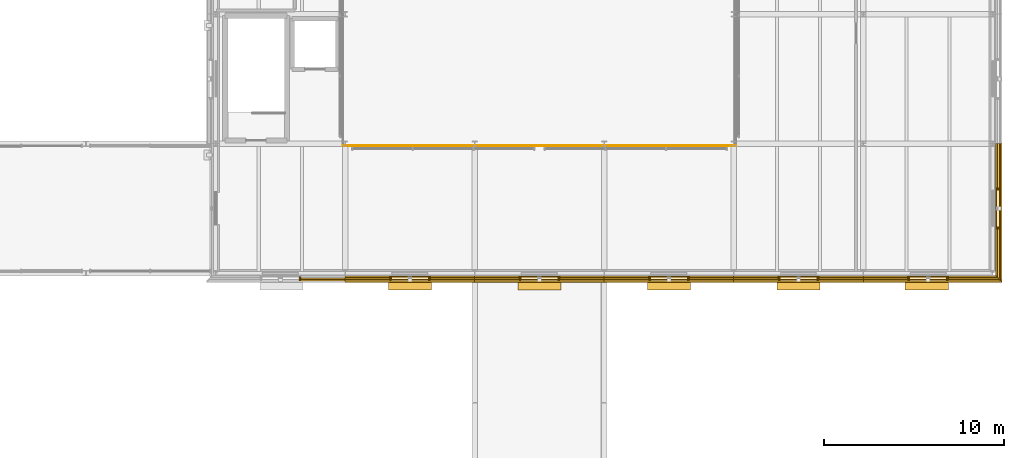
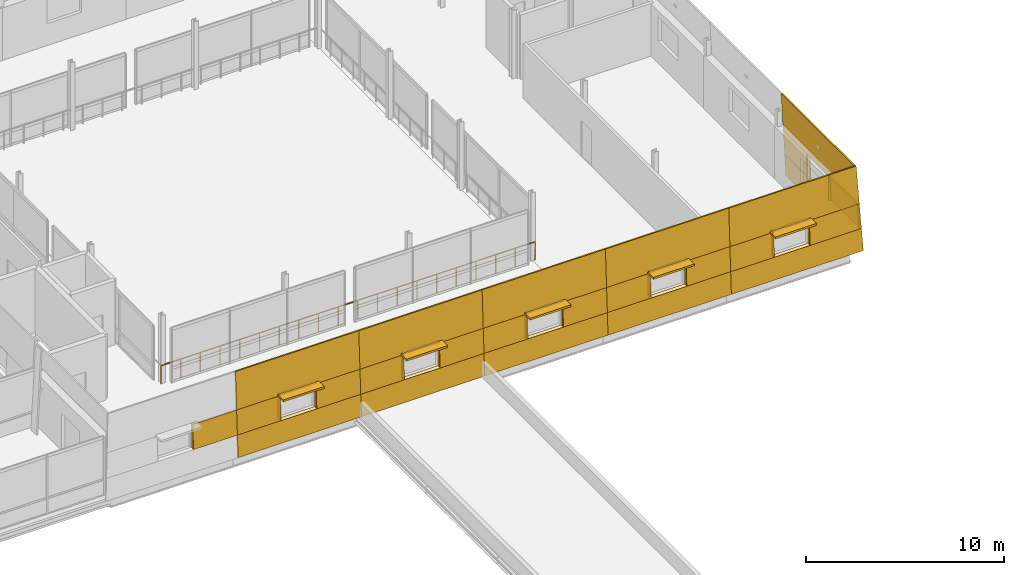
# One storey, part 112 of 115: 50 coverings, 5 shading devices, 1 railing.
"""IFC4 building model written with IfcOpenShell, lengths in metres."""

from ifc_helpers import new_model, si_unit, direction, frame, origin, origin_2d, place, context, subcontext, project, spatial, polyline, rectangle, circle, outline, extrude, material, layer, layer_set, type_object, element, save


model = new_model("IFC4")

# Units and contexts
model_context = context("Model", 3, precision=1e-05, world=origin(), true_north=direction((0.0, 1.0)))
body_context = subcontext(model_context, "Body", "Model", "MODEL_VIEW")
ifc_project = project(units=[si_unit("LENGTHUNIT", "METRE"), si_unit("AREAUNIT", "SQUARE_METRE"), si_unit("VOLUMEUNIT", "CUBIC_METRE"), si_unit("PLANEANGLEUNIT", "RADIAN"), si_unit("MASSUNIT", "GRAM", prefix="KILO")], contexts=[model_context])

# Site, building, storey
site_placement = place(None, origin())
site = spatial("IfcSite", under=ifc_project, at=site_placement, CompositionType="ELEMENT")
building_placement = place(site_placement, origin())
building = spatial("IfcBuilding", under=site, at=building_placement, Name="Narikvali Park Central Library", CompositionType="ELEMENT")
storey_placement = place(building_placement, frame((0.0, 0.0, 10.199951171875)))
storey = spatial("IfcBuildingStorey", under=building, at=storey_placement, Name="L02", CompositionType="ELEMENT", Elevation=10.199951171875)

# Railing
ifc_material_1 = material(Name="Laminated Tempered Glass and Stainless Steel", Category="steel")
ifc_layer_1 = layer(ifc_material_1, 0.06005859375, Name="Laminated Tempered Glass and Stainless Steel")
ifc_layer_set_1 = layer_set([ifc_layer_1], Name="Laminated Tempered Glass and Stainless Steel")
railing_type = type_object("IfcRailingType", Name="Atrium Void Tempered Glass Guardrail 1150", PredefinedType="GUARDRAIL", material=ifc_layer_set_1)
railing_placement = place(storey_placement, frame((129.47998046875, 86.280029296875, 0.0)))
element("IfcRailing", 1, at=railing_placement, inside=storey, type_object=railing_type, Name="V3 L02 Void Edge Guardrail S", PredefinedType="GUARDRAIL", context=body_context, shape_type="SweptSolid", body=[
    extrude(circle(Radius=0.02392578125, at=origin_2d()), frame((0.0, 0.0, 1.1259765625), z_axis=(1.0, 0.0, 0.0), x_axis=(0.0, 1.0, 0.0)), (0.0, 0.0, 1.0), 21.840087890625),
    extrude(circle(Radius=0.02099609375, at=origin_2d()), origin(), (0.0, 0.0, 1.0), 1.101806640625),
    extrude(circle(Radius=0.02099609375, at=origin_2d()), frame((1.1494140625, 0.0, 0.0)), (0.0, 0.0, 1.0), 1.101806640625),
    extrude(circle(Radius=0.02099609375, at=origin_2d()), frame((2.299072265625, 0.0, 0.0)), (0.0, 0.0, 1.0), 1.101806640625),
    extrude(circle(Radius=0.02099609375, at=origin_2d()), frame((3.448486328125, 0.0, 0.0)), (0.0, 0.0, 1.0), 1.101806640625),
    extrude(circle(Radius=0.02099609375, at=origin_2d()), frame((4.597900390625, 0.0, 0.0)), (0.0, 0.0, 1.0), 1.101806640625),
    extrude(circle(Radius=0.02099609375, at=origin_2d()), frame((5.747314453125, 0.0, 0.0)), (0.0, 0.0, 1.0), 1.101806640625),
    extrude(circle(Radius=0.02099609375, at=origin_2d()), frame((6.89697265625, 0.0, 0.0)), (0.0, 0.0, 1.0), 1.101806640625),
    extrude(circle(Radius=0.02099609375, at=origin_2d()), frame((8.04638671875, 0.0, 0.0)), (0.0, 0.0, 1.0), 1.101806640625),
    extrude(circle(Radius=0.02099609375, at=origin_2d()), frame((9.19580078125, 0.0, 0.0)), (0.0, 0.0, 1.0), 1.101806640625),
    extrude(circle(Radius=0.02099609375, at=origin_2d()), frame((10.34521484375, 0.0, 0.0)), (0.0, 0.0, 1.0), 1.101806640625),
    extrude(circle(Radius=0.02099609375, at=origin_2d()), frame((11.494873046875, 0.0, 0.0)), (0.0, 0.0, 1.0), 1.101806640625),
    extrude(circle(Radius=0.02099609375, at=origin_2d()), frame((12.644287109375, 0.0, 0.0)), (0.0, 0.0, 1.0), 1.101806640625),
    extrude(circle(Radius=0.02099609375, at=origin_2d()), frame((13.793701171875, 0.0, 0.0)), (0.0, 0.0, 1.0), 1.101806640625),
    extrude(circle(Radius=0.02099609375, at=origin_2d()), frame((14.943115234375, 0.0, 0.0)), (0.0, 0.0, 1.0), 1.101806640625),
    extrude(circle(Radius=0.02099609375, at=origin_2d()), frame((16.0927734375, 0.0, 0.0)), (0.0, 0.0, 1.0), 1.101806640625),
    extrude(circle(Radius=0.02099609375, at=origin_2d()), frame((17.2421875, 0.0, 0.0)), (0.0, 0.0, 1.0), 1.101806640625),
    extrude(circle(Radius=0.02099609375, at=origin_2d()), frame((18.3916015625, 0.0, 0.0)), (0.0, 0.0, 1.0), 1.101806640625),
    extrude(circle(Radius=0.02099609375, at=origin_2d()), frame((19.541015625, 0.0, 0.0)), (0.0, 0.0, 1.0), 1.101806640625),
    extrude(circle(Radius=0.02099609375, at=origin_2d()), frame((20.690673828125, 0.0, 0.0)), (0.0, 0.0, 1.0), 1.101806640625),
    extrude(circle(Radius=0.02099609375, at=origin_2d()), frame((21.840087890625, 0.0, 0.0)), (0.0, 0.0, 1.0), 1.101806640625),
])

# Coverings
ifc_material_2 = material(Name="White Honed Limestone Cladding", Category="masonry")
ifc_layer_2 = layer(ifc_material_2, 0.0849609375, Name="White Honed Limestone Cladding")
ifc_layer_set_2 = layer_set([ifc_layer_2], Name="White Honed Limestone Cladding")
covering_type_1 = type_object("IfcCoveringType", Name="Battered White Limestone Facade Cladding Panel", PredefinedType="CLADDING", material=ifc_layer_set_2)
covering_1_placement = place(storey_placement, frame((127.0400390625, 78.761962890625, 1.35009765625), z_axis=(0.0, -0.998646416446, 0.05201283419), x_axis=(1.0, 0.0, 0.0)))
element("IfcCovering", 2, at=covering_1_placement, inside=storey, type_object=covering_type_1, Name="V3 L02 S Battered Limestone Jamb Pier R B01", PredefinedType="CLADDING", context=body_context, shape_type="SweptSolid", body=[
    extrude(outline(polyline([(0.0, 0.0), (2.56005859375, 0.0), (2.56005859375, 1.5020331273394072), (0.0, 1.5020331273394072), (0.0, 0.0)])), origin(), (0.0, 0.0, -1.0), 0.0849609375),
])
covering_2_placement = place(storey_placement, frame((129.60009765625, 78.691650390625, 0.0), z_axis=(0.0, -0.998646611858, 0.052009082137), x_axis=(1.0, 0.0, 0.0)))
element("IfcCovering", 3, at=covering_2_placement, inside=storey, type_object=covering_type_1, Name="V3 L02 S Battered Limestone Spandrel B02", PredefinedType="CLADDING", context=body_context, shape_type="SweptSolid", body=[
    extrude(outline(polyline([(0.0, 0.0), (7.199951171875, 0.0), (7.199951171875, 1.3519273386791144), (0.0, 1.3519273386791144), (0.0, 0.0)])), origin(), (0.0, 0.0, -1.0), 0.0849609375),
])
covering_3_placement = place(storey_placement, frame((129.60009765625, 78.840087890625, 2.85009765625), z_axis=(0.0, -0.998644637883, 0.052046971362), x_axis=(1.0, 0.0, 0.0)))
element("IfcCovering", 4, at=covering_3_placement, inside=storey, type_object=covering_type_1, Name="V3 L02 S Battered Limestone Lintel B02", PredefinedType="CLADDING", context=body_context, shape_type="SweptSolid", body=[
    extrude(outline(polyline([(0.0, 0.0), (7.199951171875, 0.0), (7.199951171875, 2.3031704581133985), (0.0, 2.3031704581133985), (0.0, 0.0)])), origin(), (0.0, 0.0, -1.0), 0.0849609375),
])
covering_4_placement = place(storey_placement, frame((129.60009765625, 78.761962890625, 1.35009765625), z_axis=(0.0, -0.998646416446, 0.05201283419), x_axis=(1.0, 0.0, 0.0)))
element("IfcCovering", 5, at=covering_4_placement, inside=storey, type_object=covering_type_1, Name="V3 L02 S Battered Limestone Jamb Pier L B02", PredefinedType="CLADDING", context=body_context, shape_type="SweptSolid", body=[
    extrude(outline(polyline([(0.0, 0.0), (2.559814453125, 0.0), (2.559814453125, 1.5020331273394074), (0.0, 1.5020331273394074), (0.0, 0.0)])), origin(), (0.0, 0.0, -1.0), 0.0849609375),
])
covering_5_placement = place(storey_placement, frame((134.239990234375, 78.761962890625, 1.35009765625), z_axis=(0.0, -0.998646416446, 0.05201283419), x_axis=(1.0, 0.0, 0.0)))
element("IfcCovering", 6, at=covering_5_placement, inside=storey, type_object=covering_type_1, Name="V3 L02 S Battered Limestone Jamb Pier R B02", PredefinedType="CLADDING", context=body_context, shape_type="SweptSolid", body=[
    extrude(outline(polyline([(0.0, 0.0), (2.56005859375, 0.0), (2.56005859375, 1.5020331273394072), (0.0, 1.5020331273394072), (0.0, 0.0)])), origin(), (0.0, 0.0, -1.0), 0.0849609375),
])
covering_6_placement = place(storey_placement, frame((136.800048828125, 78.691650390625, 0.0), z_axis=(0.0, -0.998646611858, 0.052009082137), x_axis=(1.0, 0.0, 0.0)))
element("IfcCovering", 7, at=covering_6_placement, inside=storey, type_object=covering_type_1, Name="V3 L02 S Battered Limestone Spandrel B03", PredefinedType="CLADDING", context=body_context, shape_type="SweptSolid", body=[
    extrude(outline(polyline([(0.0, 0.0), (7.199951171875, 0.0), (7.199951171875, 1.3519273386791144), (0.0, 1.3519273386791144), (0.0, 0.0)])), origin(), (0.0, 0.0, -1.0), 0.0849609375),
])
covering_7_placement = place(storey_placement, frame((136.800048828125, 78.840087890625, 2.85009765625), z_axis=(0.0, -0.998644637883, 0.052046971362), x_axis=(1.0, 0.0, 0.0)))
element("IfcCovering", 8, at=covering_7_placement, inside=storey, type_object=covering_type_1, Name="V3 L02 S Battered Limestone Lintel B03", PredefinedType="CLADDING", context=body_context, shape_type="SweptSolid", body=[
    extrude(outline(polyline([(0.0, 0.0), (7.199951171875, 0.0), (7.199951171875, 2.3031704581133985), (0.0, 2.3031704581133985), (0.0, 0.0)])), origin(), (0.0, 0.0, -1.0), 0.0849609375),
])
for number, where, z_axis, x_axis, name in (
    (9, (136.800048828125, 78.761962890625, 1.35009765625), (0.0, -0.998646416446, 0.05201283419), (1.0, 0.0, 0.0), "V3 L02 S Battered Limestone Jamb Pier L B03"),
    (10, (141.43994140625, 78.761962890625, 1.35009765625), (0.0, -0.998646416446, 0.05201283419), (1.0, 0.0, 0.0), "V3 L02 S Battered Limestone Jamb Pier R B03"),
):
    element("IfcCovering", number, at=place(storey_placement, frame(where, z_axis=z_axis, x_axis=x_axis)), inside=storey, type_object=covering_type_1, Name=name, PredefinedType="CLADDING", context=body_context, shape_type="SweptSolid", body=[
        extrude(outline(polyline([(0.0, 0.0), (2.56005859375, 0.0), (2.56005859375, 1.5020331273394072), (0.0, 1.5020331273394072), (0.0, 0.0)])), origin(), (0.0, 0.0, -1.0), 0.0849609375),
    ])
covering_8_placement = place(storey_placement, frame((144.0, 78.691650390625, 0.0), z_axis=(0.0, -0.998646611858, 0.052009082137), x_axis=(1.0, 0.0, 0.0)))
element("IfcCovering", 11, at=covering_8_placement, inside=storey, type_object=covering_type_1, Name="V3 L02 S Battered Limestone Spandrel B04", PredefinedType="CLADDING", context=body_context, shape_type="SweptSolid", body=[
    extrude(outline(polyline([(0.0, 0.0), (7.199951171875, 0.0), (7.199951171875, 1.3519273386791144), (0.0, 1.3519273386791144), (0.0, 0.0)])), origin(), (0.0, 0.0, -1.0), 0.0849609375),
])
covering_9_placement = place(storey_placement, frame((144.0, 78.840087890625, 2.85009765625), z_axis=(0.0, -0.998644637883, 0.052046971362), x_axis=(1.0, 0.0, 0.0)))
element("IfcCovering", 12, at=covering_9_placement, inside=storey, type_object=covering_type_1, Name="V3 L02 S Battered Limestone Lintel B04", PredefinedType="CLADDING", context=body_context, shape_type="SweptSolid", body=[
    extrude(outline(polyline([(0.0, 0.0), (7.199951171875, 0.0), (7.199951171875, 2.3031704581133985), (0.0, 2.3031704581133985), (0.0, 0.0)])), origin(), (0.0, 0.0, -1.0), 0.0849609375),
])
for number, where, z_axis, x_axis, name in (
    (13, (144.0, 78.761962890625, 1.35009765625), (0.0, -0.998646416446, 0.05201283419), (1.0, 0.0, 0.0), "V3 L02 S Battered Limestone Jamb Pier L B04"),
    (14, (148.639892578125, 78.761962890625, 1.35009765625), (0.0, -0.998646416446, 0.05201283419), (1.0, 0.0, 0.0), "V3 L02 S Battered Limestone Jamb Pier R B04"),
):
    element("IfcCovering", number, at=place(storey_placement, frame(where, z_axis=z_axis, x_axis=x_axis)), inside=storey, type_object=covering_type_1, Name=name, PredefinedType="CLADDING", context=body_context, shape_type="SweptSolid", body=[
        extrude(outline(polyline([(0.0, 0.0), (2.56005859375, 0.0), (2.56005859375, 1.5020331273394072), (0.0, 1.5020331273394072), (0.0, 0.0)])), origin(), (0.0, 0.0, -1.0), 0.0849609375),
    ])
covering_10_placement = place(storey_placement, frame((151.199951171875, 78.691650390625, 0.0), z_axis=(0.0, -0.998646611858, 0.052009082137), x_axis=(1.0, 0.0, 0.0)))
element("IfcCovering", 15, at=covering_10_placement, inside=storey, type_object=covering_type_1, Name="V3 L02 S Battered Limestone Spandrel B05", PredefinedType="CLADDING", context=body_context, shape_type="SweptSolid", body=[
    extrude(outline(polyline([(0.0, 0.0), (7.199951171875, 0.0), (7.199951171875, 1.3519273386791144), (0.0, 1.3519273386791144), (0.0, 0.0)])), origin(), (0.0, 0.0, -1.0), 0.0849609375),
])
covering_11_placement = place(storey_placement, frame((151.199951171875, 78.840087890625, 2.85009765625), z_axis=(0.0, -0.998644637883, 0.052046971362), x_axis=(1.0, 0.0, 0.0)))
element("IfcCovering", 16, at=covering_11_placement, inside=storey, type_object=covering_type_1, Name="V3 L02 S Battered Limestone Lintel B05", PredefinedType="CLADDING", context=body_context, shape_type="SweptSolid", body=[
    extrude(outline(polyline([(0.0, 0.0), (7.199951171875, 0.0), (7.199951171875, 2.3031704581133985), (0.0, 2.3031704581133985), (0.0, 0.0)])), origin(), (0.0, 0.0, -1.0), 0.0849609375),
])
covering_12_placement = place(storey_placement, frame((151.199951171875, 78.761962890625, 1.35009765625), z_axis=(0.0, -0.998646416446, 0.05201283419), x_axis=(1.0, 0.0, 0.0)))
element("IfcCovering", 17, at=covering_12_placement, inside=storey, type_object=covering_type_1, Name="V3 L02 S Battered Limestone Jamb Pier L B05", PredefinedType="CLADDING", context=body_context, shape_type="SweptSolid", body=[
    extrude(outline(polyline([(0.0, 0.0), (2.56005859375, 0.0), (2.56005859375, 1.5020331273394072), (0.0, 1.5020331273394072), (0.0, 0.0)])), origin(), (0.0, 0.0, -1.0), 0.0849609375),
])
covering_13_placement = place(storey_placement, frame((155.840087890625, 78.761962890625, 1.35009765625), z_axis=(0.0, -0.998646416446, 0.05201283419), x_axis=(1.0, 0.0, 0.0)))
element("IfcCovering", 18, at=covering_13_placement, inside=storey, type_object=covering_type_1, Name="V3 L02 S Battered Limestone Jamb Pier R B05", PredefinedType="CLADDING", context=body_context, shape_type="SweptSolid", body=[
    extrude(outline(polyline([(0.0, 0.0), (2.559814453125, 0.0), (2.559814453125, 1.5020331273394074), (0.0, 1.5020331273394074), (0.0, 0.0)])), origin(), (0.0, 0.0, -1.0), 0.0849609375),
])
covering_14_placement = place(storey_placement, frame((158.39990234375, 78.691650390625, 0.0), z_axis=(0.0, -0.998646611858, 0.052009082137), x_axis=(1.0, 0.0, 0.0)))
element("IfcCovering", 19, at=covering_14_placement, inside=storey, type_object=covering_type_1, Name="V3 L02 S Battered Limestone Spandrel B06", PredefinedType="CLADDING", context=body_context, shape_type="SweptSolid", body=[
    extrude(outline(polyline([(0.0, 0.0), (7.70849609375, 0.0), (7.63818359375, 1.3519273386791146), (0.0, 1.3519273386791146), (0.0, 0.0)])), origin(), (0.0, 0.0, -1.0), 0.0849609375),
])
covering_15_placement = place(storey_placement, frame((158.39990234375, 78.840087890625, 2.85009765625), z_axis=(0.0, -0.998644637883, 0.052046971362), x_axis=(1.0, 0.0, 0.0)))
element("IfcCovering", 20, at=covering_15_placement, inside=storey, type_object=covering_type_1, Name="V3 L02 S Battered Limestone Lintel B06", PredefinedType="CLADDING", context=body_context, shape_type="SweptSolid", body=[
    extrude(outline(polyline([(0.0, 0.0), (7.56005859375, 0.0), (7.440185546875, 2.3031704581133985), (0.0, 2.3031704581133985), (0.0, 0.0)])), origin(), (0.0, 0.0, -1.0), 0.0849609375),
])
covering_16_placement = place(storey_placement, frame((158.39990234375, 78.761962890625, 1.35009765625), z_axis=(0.0, -0.998646416446, 0.05201283419), x_axis=(1.0, 0.0, 0.0)))
element("IfcCovering", 21, at=covering_16_placement, inside=storey, type_object=covering_type_1, Name="V3 L02 S Battered Limestone Jamb Pier L B06", PredefinedType="CLADDING", context=body_context, shape_type="SweptSolid", body=[
    extrude(outline(polyline([(0.0, 0.0), (2.56005859375, 0.0), (2.56005859375, 1.5020331273394072), (0.0, 1.5020331273394072), (0.0, 0.0)])), origin(), (0.0, 0.0, -1.0), 0.0849609375),
])
covering_17_placement = place(storey_placement, frame((163.0400390625, 78.761962890625, 1.35009765625), z_axis=(0.0, -0.998646416446, 0.05201283419), x_axis=(1.0, 0.0, 0.0)))
element("IfcCovering", 22, at=covering_17_placement, inside=storey, type_object=covering_type_1, Name="V3 L02 S Battered Limestone Jamb Pier R B06", PredefinedType="CLADDING", context=body_context, shape_type="SweptSolid", body=[
    extrude(outline(polyline([(0.0, 0.0), (2.998046875, 0.0), (2.919921875, 1.5020331273394074), (0.0, 1.5020331273394074), (0.0, 0.0)])), origin(), (0.0, 0.0, -1.0), 0.0849609375),
])
covering_18_placement = place(storey_placement, frame((166.1083984375, 78.776611328125, 0.0), z_axis=(0.998646611858, 0.0, 0.052009082137), x_axis=(0.0, 1.0, 0.0)))
element("IfcCovering", 23, at=covering_18_placement, inside=storey, type_object=covering_type_1, Name="V3 L02 E Battered Limestone Spandrel B01", PredefinedType="CLADDING", context=body_context, shape_type="SweptSolid", body=[
    extrude(outline(polyline([(0.0, 0.0), (7.623291015625, 0.0), (7.623291015625, 1.3519273386791146), (0.0703125, 1.3519273386791146), (0.0, 0.0)])), origin(), (0.0, 0.0, -1.0), 0.0849609375),
])
covering_19_placement = place(storey_placement, frame((165.9599609375, 78.925048828125, 2.85009765625), z_axis=(0.998644637883, 0.0, 0.052046971362), x_axis=(0.0, 1.0, 0.0)))
element("IfcCovering", 24, at=covering_19_placement, inside=storey, type_object=covering_type_1, Name="V3 L02 E Battered Limestone Lintel B01", PredefinedType="CLADDING", context=body_context, shape_type="SweptSolid", body=[
    extrude(outline(polyline([(0.0, 0.0), (7.474853515625, 0.0), (7.474853515625, 2.3031704581133985), (0.119873046875, 2.3031704581133985), (0.0, 0.0)])), origin(), (0.0, 0.0, -1.0), 0.0849609375),
])
covering_20_placement = place(storey_placement, frame((166.0380859375, 78.846923828125, 1.35009765625), z_axis=(0.998646416446, 0.0, 0.05201283419), x_axis=(0.0, 1.0, 0.0)))
element("IfcCovering", 25, at=covering_20_placement, inside=storey, type_object=covering_type_1, Name="V3 L02 E Battered Limestone Jamb Pier L B01", PredefinedType="CLADDING", context=body_context, shape_type="SweptSolid", body=[
    extrude(outline(polyline([(0.0, 0.0), (2.9130859375, 0.0), (2.9130859375, 1.5020331273394074), (0.078125, 1.5020331273394074), (0.0, 0.0)])), origin(), (0.0, 0.0, -1.0), 0.0849609375),
])
covering_21_placement = place(storey_placement, frame((166.0380859375, 83.840087890625, 1.35009765625), z_axis=(0.998646416446, 0.0, 0.05201283419), x_axis=(0.0, 1.0, 0.0)))
element("IfcCovering", 26, at=covering_21_placement, inside=storey, type_object=covering_type_1, Name="V3 L02 E Battered Limestone Jamb Pier R B01", PredefinedType="CLADDING", context=body_context, shape_type="SweptSolid", body=[
    extrude(outline(polyline([(0.0, 0.0), (2.559814453125, 0.0), (2.559814453125, 1.5020331273394074), (0.0, 1.5020331273394074), (0.0, 0.0)])), origin(), (0.0, 0.0, -1.0), 0.0849609375),
])

# Shading devices
ifc_material_3 = material(Name="Anodised Bronze Aluminium", Category="aluminium")
ifc_layer_3 = layer(ifc_material_3, 0.1201171875, Name="Anodised Bronze Aluminium")
ifc_layer_set_3 = layer_set([ifc_layer_3], Name="Anodised Bronze Aluminium")
shading_device_type = type_object("IfcShadingDeviceType", Name="Bronze Classical Cornice Sun Brise-Soleil 650", PredefinedType="SHUTTER", material=ifc_layer_set_3)
for number, where, z_axis, x_axis, name in (
    (27, (133.199951171875, 78.60009765625, 2.85009765625), (0.0, 0.0, 1.0), (1.0, 0.0, 0.0), "V3 L02 Classical Bronze Brise-Soleil 02"),
    (28, (140.39990234375, 78.60009765625, 2.85009765625), (0.0, 0.0, 1.0), (1.0, 0.0, 0.0), "V3 L02 Classical Bronze Brise-Soleil 03"),
    (29, (147.60009765625, 78.60009765625, 2.85009765625), (0.0, 0.0, 1.0), (1.0, 0.0, 0.0), "V3 L02 Classical Bronze Brise-Soleil 04"),
    (30, (154.800048828125, 78.60009765625, 2.85009765625), (0.0, 0.0, 1.0), (1.0, 0.0, 0.0), "V3 L02 Classical Bronze Brise-Soleil 05"),
    (31, (161.93310546875, 78.60009765625, 2.85009765625), (0.0, 0.0, 1.0), (1.0, 0.0, 0.0), "V3 L02 Classical Bronze Brise-Soleil 06"),
):
    element("IfcShadingDevice", number, at=place(storey_placement, frame(where, z_axis=z_axis, x_axis=x_axis)), inside=storey, type_object=shading_device_type, Name=name, PredefinedType="SHUTTER", context=body_context, shape_type="SweptSolid", body=[
        extrude(rectangle(XDim=2.39990234375, YDim=0.64990234375, at=origin_2d()), origin(), (0.0, 0.0, 1.0), 0.1201171875),
    ])

# Coverings
ifc_layer_4 = layer(ifc_material_2, 0.080078125, Name="White Honed Limestone Cladding")
ifc_layer_set_4 = layer_set([ifc_layer_4], Name="White Honed Limestone Cladding")
covering_type_2 = type_object("IfcCoveringType", Name="Deep Carved White Limestone Window Reveal", PredefinedType="CLADDING", material=ifc_layer_set_4)
covering_22_placement = place(storey_placement, frame((0.0, 0.0, 1.35009765625)))
element("IfcCovering", 32, at=covering_22_placement, inside=storey, type_object=covering_type_2, Name="Deep Stone Reveal Jamb R V3-RVL-L02-S-B01", PredefinedType="CLADDING", context=body_context, shape_type="SweptSolid", body=[
    extrude(outline(polyline([(127.0400390625, 78.9951171875), (127.1201171875, 78.9951171875), (127.1201171875, 78.840087890625), (127.0400390625, 78.840087890625), (127.0400390625, 78.9951171875)])), origin(), (0.0, 0.0, 1.0), 1.5),
])
covering_23_placement = place(storey_placement, frame((0.0, 0.0, 2.85009765625)))
element("IfcCovering", 33, at=covering_23_placement, inside=storey, type_object=covering_type_2, Name="Deep Stone Reveal Head V3-RVL-L02-S-B02", PredefinedType="CLADDING", context=body_context, shape_type="SweptSolid", body=[
    extrude(outline(polyline([(132.1201171875, 78.9951171875), (134.280029296875, 78.9951171875), (134.280029296875, 78.840087890625), (132.1201171875, 78.840087890625), (132.1201171875, 78.9951171875)])), origin(), (0.0, 0.0, 1.0), 0.079833984375),
])
covering_24_placement = place(storey_placement, frame((0.0, 0.0, 1.27001953125)))
element("IfcCovering", 34, at=covering_24_placement, inside=storey, type_object=covering_type_2, Name="Deep Stone Reveal Sill V3-RVL-L02-S-B02", PredefinedType="CLADDING", context=body_context, shape_type="SweptSolid", body=[
    extrude(outline(polyline([(132.1201171875, 78.9951171875), (134.280029296875, 78.9951171875), (134.280029296875, 78.761962890625), (132.1201171875, 78.761962890625), (132.1201171875, 78.9951171875)])), origin(), (0.0, 0.0, 1.0), 0.080078125),
])
covering_25_placement = place(storey_placement, frame((0.0, 0.0, 1.35009765625)))
element("IfcCovering", 35, at=covering_25_placement, inside=storey, type_object=covering_type_2, Name="Deep Stone Reveal Jamb L V3-RVL-L02-S-B02", PredefinedType="CLADDING", context=body_context, shape_type="SweptSolid", body=[
    extrude(outline(polyline([(132.080078125, 78.9951171875), (132.159912109375, 78.9951171875), (132.159912109375, 78.840087890625), (132.080078125, 78.840087890625), (132.080078125, 78.9951171875)])), origin(), (0.0, 0.0, 1.0), 1.5),
])
covering_26_placement = place(storey_placement, frame((0.0, 0.0, 1.35009765625)))
element("IfcCovering", 36, at=covering_26_placement, inside=storey, type_object=covering_type_2, Name="Deep Stone Reveal Jamb R V3-RVL-L02-S-B02", PredefinedType="CLADDING", context=body_context, shape_type="SweptSolid", body=[
    extrude(outline(polyline([(134.239990234375, 78.9951171875), (134.320068359375, 78.9951171875), (134.320068359375, 78.840087890625), (134.239990234375, 78.840087890625), (134.239990234375, 78.9951171875)])), origin(), (0.0, 0.0, 1.0), 1.5),
])
covering_27_placement = place(storey_placement, frame((0.0, 0.0, 2.85009765625)))
element("IfcCovering", 37, at=covering_27_placement, inside=storey, type_object=covering_type_2, Name="Deep Stone Reveal Head V3-RVL-L02-S-B03", PredefinedType="CLADDING", context=body_context, shape_type="SweptSolid", body=[
    extrude(outline(polyline([(139.320068359375, 78.9951171875), (141.47998046875, 78.9951171875), (141.47998046875, 78.840087890625), (139.320068359375, 78.840087890625), (139.320068359375, 78.9951171875)])), origin(), (0.0, 0.0, 1.0), 0.079833984375),
])
covering_28_placement = place(storey_placement, frame((0.0, 0.0, 1.27001953125)))
element("IfcCovering", 38, at=covering_28_placement, inside=storey, type_object=covering_type_2, Name="Deep Stone Reveal Sill V3-RVL-L02-S-B03", PredefinedType="CLADDING", context=body_context, shape_type="SweptSolid", body=[
    extrude(outline(polyline([(139.320068359375, 78.9951171875), (141.47998046875, 78.9951171875), (141.47998046875, 78.761962890625), (139.320068359375, 78.761962890625), (139.320068359375, 78.9951171875)])), origin(), (0.0, 0.0, 1.0), 0.080078125),
])
covering_29_placement = place(storey_placement, frame((0.0, 0.0, 1.35009765625)))
element("IfcCovering", 39, at=covering_29_placement, inside=storey, type_object=covering_type_2, Name="Deep Stone Reveal Jamb L V3-RVL-L02-S-B03", PredefinedType="CLADDING", context=body_context, shape_type="SweptSolid", body=[
    extrude(outline(polyline([(139.280029296875, 78.9951171875), (139.360107421875, 78.9951171875), (139.360107421875, 78.840087890625), (139.280029296875, 78.840087890625), (139.280029296875, 78.9951171875)])), origin(), (0.0, 0.0, 1.0), 1.5),
])
covering_30_placement = place(storey_placement, frame((0.0, 0.0, 1.35009765625)))
element("IfcCovering", 40, at=covering_30_placement, inside=storey, type_object=covering_type_2, Name="Deep Stone Reveal Jamb R V3-RVL-L02-S-B03", PredefinedType="CLADDING", context=body_context, shape_type="SweptSolid", body=[
    extrude(outline(polyline([(141.43994140625, 78.9951171875), (141.52001953125, 78.9951171875), (141.52001953125, 78.840087890625), (141.43994140625, 78.840087890625), (141.43994140625, 78.9951171875)])), origin(), (0.0, 0.0, 1.0), 1.5),
])
covering_31_placement = place(storey_placement, frame((0.0, 0.0, 2.85009765625)))
element("IfcCovering", 41, at=covering_31_placement, inside=storey, type_object=covering_type_2, Name="Deep Stone Reveal Head V3-RVL-L02-S-B04", PredefinedType="CLADDING", context=body_context, shape_type="SweptSolid", body=[
    extrude(outline(polyline([(146.52001953125, 78.9951171875), (148.679931640625, 78.9951171875), (148.679931640625, 78.840087890625), (146.52001953125, 78.840087890625), (146.52001953125, 78.9951171875)])), origin(), (0.0, 0.0, 1.0), 0.079833984375),
])
covering_32_placement = place(storey_placement, frame((0.0, 0.0, 1.27001953125)))
element("IfcCovering", 42, at=covering_32_placement, inside=storey, type_object=covering_type_2, Name="Deep Stone Reveal Sill V3-RVL-L02-S-B04", PredefinedType="CLADDING", context=body_context, shape_type="SweptSolid", body=[
    extrude(outline(polyline([(146.52001953125, 78.9951171875), (148.679931640625, 78.9951171875), (148.679931640625, 78.761962890625), (146.52001953125, 78.761962890625), (146.52001953125, 78.9951171875)])), origin(), (0.0, 0.0, 1.0), 0.080078125),
])
covering_33_placement = place(storey_placement, frame((0.0, 0.0, 1.35009765625)))
element("IfcCovering", 43, at=covering_33_placement, inside=storey, type_object=covering_type_2, Name="Deep Stone Reveal Jamb L V3-RVL-L02-S-B04", PredefinedType="CLADDING", context=body_context, shape_type="SweptSolid", body=[
    extrude(outline(polyline([(146.47998046875, 78.9951171875), (146.56005859375, 78.9951171875), (146.56005859375, 78.840087890625), (146.47998046875, 78.840087890625), (146.47998046875, 78.9951171875)])), origin(), (0.0, 0.0, 1.0), 1.5),
])
covering_34_placement = place(storey_placement, frame((0.0, 0.0, 1.35009765625)))
element("IfcCovering", 44, at=covering_34_placement, inside=storey, type_object=covering_type_2, Name="Deep Stone Reveal Jamb R V3-RVL-L02-S-B04", PredefinedType="CLADDING", context=body_context, shape_type="SweptSolid", body=[
    extrude(outline(polyline([(148.639892578125, 78.9951171875), (148.719970703125, 78.9951171875), (148.719970703125, 78.840087890625), (148.639892578125, 78.840087890625), (148.639892578125, 78.9951171875)])), origin(), (0.0, 0.0, 1.0), 1.5),
])
covering_35_placement = place(storey_placement, frame((0.0, 0.0, 2.85009765625)))
element("IfcCovering", 45, at=covering_35_placement, inside=storey, type_object=covering_type_2, Name="Deep Stone Reveal Head V3-RVL-L02-S-B05", PredefinedType="CLADDING", context=body_context, shape_type="SweptSolid", body=[
    extrude(outline(polyline([(153.719970703125, 78.9951171875), (155.8798828125, 78.9951171875), (155.8798828125, 78.840087890625), (153.719970703125, 78.840087890625), (153.719970703125, 78.9951171875)])), origin(), (0.0, 0.0, 1.0), 0.079833984375),
])
covering_36_placement = place(storey_placement, frame((0.0, 0.0, 1.27001953125)))
element("IfcCovering", 46, at=covering_36_placement, inside=storey, type_object=covering_type_2, Name="Deep Stone Reveal Sill V3-RVL-L02-S-B05", PredefinedType="CLADDING", context=body_context, shape_type="SweptSolid", body=[
    extrude(outline(polyline([(153.719970703125, 78.9951171875), (155.8798828125, 78.9951171875), (155.8798828125, 78.761962890625), (153.719970703125, 78.761962890625), (153.719970703125, 78.9951171875)])), origin(), (0.0, 0.0, 1.0), 0.080078125),
])
covering_37_placement = place(storey_placement, frame((0.0, 0.0, 1.35009765625)))
element("IfcCovering", 47, at=covering_37_placement, inside=storey, type_object=covering_type_2, Name="Deep Stone Reveal Jamb L V3-RVL-L02-S-B05", PredefinedType="CLADDING", context=body_context, shape_type="SweptSolid", body=[
    extrude(outline(polyline([(153.679931640625, 78.9951171875), (153.760009765625, 78.9951171875), (153.760009765625, 78.840087890625), (153.679931640625, 78.840087890625), (153.679931640625, 78.9951171875)])), origin(), (0.0, 0.0, 1.0), 1.5),
])
covering_38_placement = place(storey_placement, frame((0.0, 0.0, 1.35009765625)))
element("IfcCovering", 48, at=covering_38_placement, inside=storey, type_object=covering_type_2, Name="Deep Stone Reveal Jamb R V3-RVL-L02-S-B05", PredefinedType="CLADDING", context=body_context, shape_type="SweptSolid", body=[
    extrude(outline(polyline([(155.840087890625, 78.9951171875), (155.919921875, 78.9951171875), (155.919921875, 78.840087890625), (155.840087890625, 78.840087890625), (155.840087890625, 78.9951171875)])), origin(), (0.0, 0.0, 1.0), 1.5),
])
covering_39_placement = place(storey_placement, frame((0.0, 0.0, 2.85009765625)))
element("IfcCovering", 49, at=covering_39_placement, inside=storey, type_object=covering_type_2, Name="Deep Stone Reveal Head V3-RVL-L02-S-B06", PredefinedType="CLADDING", context=body_context, shape_type="SweptSolid", body=[
    extrude(outline(polyline([(160.919921875, 78.9951171875), (163.080078125, 78.9951171875), (163.080078125, 78.840087890625), (160.919921875, 78.840087890625), (160.919921875, 78.9951171875)])), origin(), (0.0, 0.0, 1.0), 0.079833984375),
])
covering_40_placement = place(storey_placement, frame((0.0, 0.0, 1.27001953125)))
element("IfcCovering", 50, at=covering_40_placement, inside=storey, type_object=covering_type_2, Name="Deep Stone Reveal Sill V3-RVL-L02-S-B06", PredefinedType="CLADDING", context=body_context, shape_type="SweptSolid", body=[
    extrude(outline(polyline([(160.919921875, 78.9951171875), (163.080078125, 78.9951171875), (163.080078125, 78.761962890625), (160.919921875, 78.761962890625), (160.919921875, 78.9951171875)])), origin(), (0.0, 0.0, 1.0), 0.080078125),
])
covering_41_placement = place(storey_placement, frame((0.0, 0.0, 1.35009765625)))
element("IfcCovering", 51, at=covering_41_placement, inside=storey, type_object=covering_type_2, Name="Deep Stone Reveal Jamb L V3-RVL-L02-S-B06", PredefinedType="CLADDING", context=body_context, shape_type="SweptSolid", body=[
    extrude(outline(polyline([(160.8798828125, 78.9951171875), (160.9599609375, 78.9951171875), (160.9599609375, 78.840087890625), (160.8798828125, 78.840087890625), (160.8798828125, 78.9951171875)])), origin(), (0.0, 0.0, 1.0), 1.5),
])
covering_42_placement = place(storey_placement, frame((0.0, 0.0, 1.35009765625)))
element("IfcCovering", 52, at=covering_42_placement, inside=storey, type_object=covering_type_2, Name="Deep Stone Reveal Jamb R V3-RVL-L02-S-B06", PredefinedType="CLADDING", context=body_context, shape_type="SweptSolid", body=[
    extrude(outline(polyline([(163.0400390625, 78.9951171875), (163.1201171875, 78.9951171875), (163.1201171875, 78.840087890625), (163.0400390625, 78.840087890625), (163.0400390625, 78.9951171875)])), origin(), (0.0, 0.0, 1.0), 1.5),
])
covering_43_placement = place(storey_placement, frame((0.0, 0.0, 2.85009765625)))
element("IfcCovering", 53, at=covering_43_placement, inside=storey, type_object=covering_type_2, Name="Deep Stone Reveal Head V3-RVL-L02-E-B01", PredefinedType="CLADDING", context=body_context, shape_type="SweptSolid", body=[
    extrude(outline(polyline([(165.804931640625, 81.719970703125), (165.804931640625, 83.8798828125), (165.9599609375, 83.8798828125), (165.9599609375, 81.719970703125), (165.804931640625, 81.719970703125)])), origin(), (0.0, 0.0, 1.0), 0.079833984375),
])
covering_44_placement = place(storey_placement, frame((0.0, 0.0, 1.27001953125)))
element("IfcCovering", 54, at=covering_44_placement, inside=storey, type_object=covering_type_2, Name="Deep Stone Reveal Sill V3-RVL-L02-E-B01", PredefinedType="CLADDING", context=body_context, shape_type="SweptSolid", body=[
    extrude(outline(polyline([(165.804931640625, 81.719970703125), (165.804931640625, 83.8798828125), (166.0380859375, 83.8798828125), (166.0380859375, 81.719970703125), (165.804931640625, 81.719970703125)])), origin(), (0.0, 0.0, 1.0), 0.080078125),
])
covering_45_placement = place(storey_placement, frame((0.0, 0.0, 1.35009765625)))
element("IfcCovering", 55, at=covering_45_placement, inside=storey, type_object=covering_type_2, Name="Deep Stone Reveal Jamb L V3-RVL-L02-E-B01", PredefinedType="CLADDING", context=body_context, shape_type="SweptSolid", body=[
    extrude(outline(polyline([(165.804931640625, 81.679931640625), (165.804931640625, 81.760009765625), (165.9599609375, 81.760009765625), (165.9599609375, 81.679931640625), (165.804931640625, 81.679931640625)])), origin(), (0.0, 0.0, 1.0), 1.5),
])
covering_46_placement = place(storey_placement, frame((0.0, 0.0, 1.35009765625)))
element("IfcCovering", 56, at=covering_46_placement, inside=storey, type_object=covering_type_2, Name="Deep Stone Reveal Jamb R V3-RVL-L02-E-B01", PredefinedType="CLADDING", context=body_context, shape_type="SweptSolid", body=[
    extrude(outline(polyline([(165.804931640625, 83.840087890625), (165.804931640625, 83.919921875), (165.9599609375, 83.919921875), (165.9599609375, 83.840087890625), (165.804931640625, 83.840087890625)])), origin(), (0.0, 0.0, 1.0), 1.5),
])

save(model, "model.ifc")
